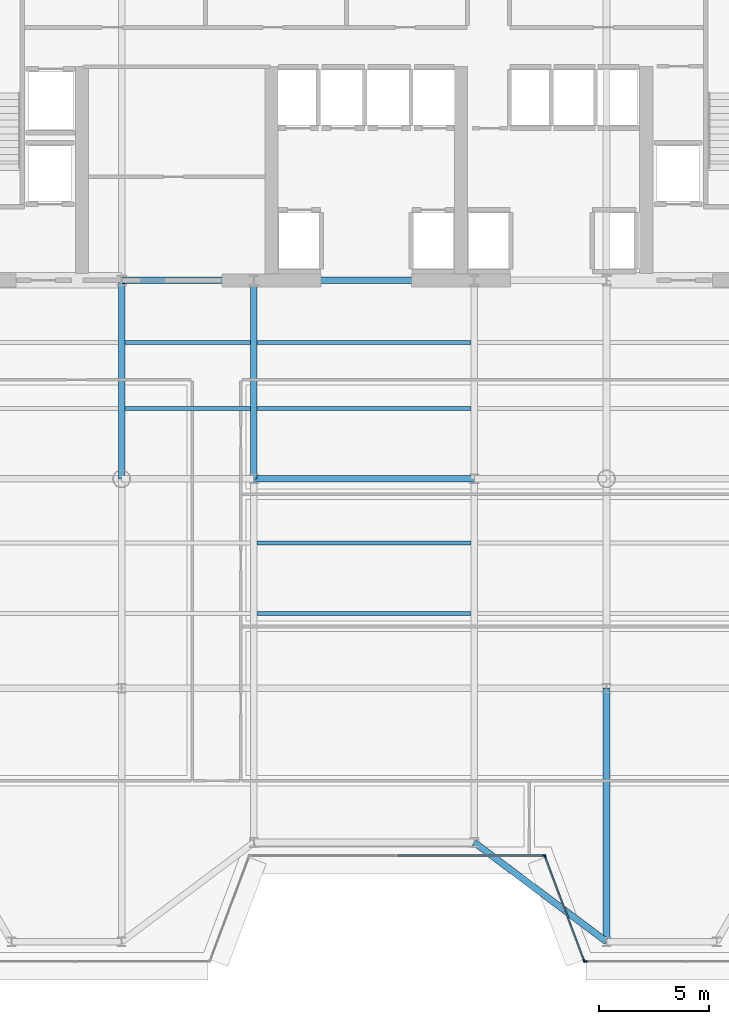
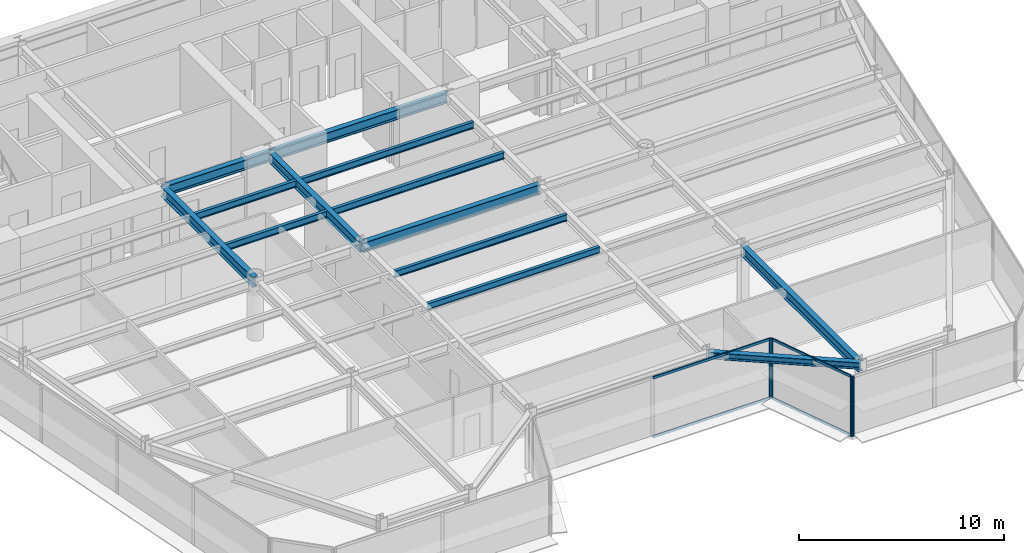
# One storey, part 5 of 16: 13 beams, 8 members, 3 elements without a shape of their own.
"""IFC4 building model written with IfcOpenShell, lengths in metres."""

from ifc_helpers import new_model, si_unit, direction, frame, origin, origin_2d, place, context, subcontext, project, spatial, rectangle, i_section, extrude, source, transform, mapped, material, layer, layer_set, material_profile, profile_set, type_object, element, aggregate, save


model = new_model("IFC4")

# Units and contexts
model_context = context("Model", 3, precision=1e-05, world=origin(), true_north=direction((0.0, 1.0)))
body_context = subcontext(model_context, "Body", "Model", "MODEL_VIEW")
ifc_project = project(units=[si_unit("LENGTHUNIT", "METRE"), si_unit("AREAUNIT", "SQUARE_METRE"), si_unit("VOLUMEUNIT", "CUBIC_METRE"), si_unit("PLANEANGLEUNIT", "RADIAN"), si_unit("MASSUNIT", "GRAM", prefix="KILO")], contexts=[model_context])

# Site, building, storey
site_placement = place(None, origin())
site = spatial("IfcSite", under=ifc_project, at=site_placement, CompositionType="ELEMENT")
building_placement = place(site_placement, origin())
building = spatial("IfcBuilding", under=site, at=building_placement, Name="Vaeldorn Concourse Tower", CompositionType="ELEMENT")
storey_placement = place(building_placement, frame((0.0, 0.0, 195.60009765625)))
storey = spatial("IfcBuildingStorey", under=building, at=storey_placement, Name="L50", CompositionType="ELEMENT", Elevation=195.60009765625)

# Beams
ifc_material_1 = material(Name="Steel S355", Category="steel")
ifc_material_profile_1 = material_profile(ifc_material_1, i_section(OverallWidth=0.300048828125, OverallDepth=0.60009765625, WebThickness=0.015380859375, FlangeThickness=0.030029296875, FilletRadius=0.027099609375, at=origin_2d()), Name="HEB 600")
ifc_profile_set_1 = profile_set([ifc_material_profile_1], Name="Steel S355")
beam_type_1 = type_object("IfcBeamType", Name="BM-PG-HEB600", PredefinedType="BEAM", material=ifc_profile_set_1)
shared_shape_1 = source(origin(), body_context, "Body", "SweptSolid", [
    extrude(i_section(OverallWidth=0.300048828125, OverallDepth=0.60009765625, WebThickness=0.015380859375, FlangeThickness=0.030029296875, FilletRadius=0.027099609375, at=origin_2d()), origin(), (0.0, 0.0, 1.0), 6.0),
])
beam_1_placement = place(storey_placement, frame((23.0, 36.5, 3.27978515625), z_axis=(1.0, 0.0, 0.0), x_axis=(0.0, 1.0, 0.0)))
element("IfcBeam", 1, at=beam_1_placement, inside=storey, type_object=beam_type_1, Name="Beam BM-L50-C-FC2-C-FC3", PredefinedType="BEAM", context=body_context, shape_type="MappedRepresentation", body=[
    mapped(shared_shape_1, transform((0.0, 0.0, 0.0), scale=1.0)),
])
shared_shape_2 = source(origin(), body_context, "Body", "SweptSolid", [
    extrude(i_section(OverallWidth=0.300048828125, OverallDepth=0.60009765625, WebThickness=0.015380859375, FlangeThickness=0.030029296875, FilletRadius=0.027099609375, at=origin_2d()), origin(), (0.0, 0.0, 1.0), 10.0),
])
for number, where, z_axis, x_axis, name in (
    (2, (29.0, 36.5, 3.27978515625), (1.0, 0.0, 0.0), (0.0, 1.0, 0.0), "Beam BM-L50-C-FC3-C-FC4"),
    (3, (29.0, 27.5, 3.27978515625), (1.0, 0.0, 0.0), (0.0, 1.0, 0.0), "Beam BM-L50-C-TW2-C-TW3"),
):
    element("IfcBeam", number, at=place(storey_placement, frame(where, z_axis=z_axis, x_axis=x_axis)), inside=storey, type_object=beam_type_1, Name=name, PredefinedType="BEAM", context=body_context, shape_type="MappedRepresentation", body=[
        mapped(shared_shape_2, transform((0.0, 0.0, 0.0), scale=1.0)),
    ])
shared_shape_3 = source(origin(), body_context, "Body", "SweptSolid", [
    extrude(i_section(OverallWidth=0.300048828125, OverallDepth=0.60009765625, WebThickness=0.015380859375, FlangeThickness=0.030029296875, FilletRadius=0.027099609375, at=origin_2d()), origin(), (0.0, 0.0, 1.0), 9.0),
])
for number, where, z_axis, x_axis, name in (
    (4, (23.0, 27.5, 3.27978515625), (0.0, 1.0, 0.0), (-1.0, 0.0, 0.0), "Beam BM-L50-C-TW1-C-FC2"),
    (5, (29.0, 27.5, 3.27978515625), (0.0, 1.0, 0.0), (-1.0, 0.0, 0.0), "Beam BM-L50-C-TW2-C-FC3"),
):
    element("IfcBeam", number, at=place(storey_placement, frame(where, z_axis=z_axis, x_axis=x_axis)), inside=storey, type_object=beam_type_1, Name=name, PredefinedType="BEAM", context=body_context, shape_type="MappedRepresentation", body=[
        mapped(shared_shape_3, transform((0.0, 0.0, 0.0), scale=1.0)),
    ])
shared_shape_4 = source(origin(), body_context, "Body", "SweptSolid", [
    extrude(i_section(OverallWidth=0.300048828125, OverallDepth=0.60009765625, WebThickness=0.015380859375, FlangeThickness=0.030029296875, FilletRadius=0.027099609375, at=origin_2d()), origin(), (0.0, 0.0, 1.0), 11.5),
])
beam_2_placement = place(storey_placement, frame((45.0, 6.5, 3.27978515625), z_axis=(0.0, 1.0, 0.0), x_axis=(-1.0, 0.0, 0.0)))
element("IfcBeam", 6, at=beam_2_placement, inside=storey, type_object=beam_type_1, Name="Beam BM-L50-C-SF5-C-TW6", PredefinedType="BEAM", context=body_context, shape_type="MappedRepresentation", body=[
    mapped(shared_shape_4, transform((0.0, 0.0, 0.0), scale=1.0)),
])
ifc_material_profile_2 = material_profile(ifc_material_1, i_section(OverallWidth=0.300048828125, OverallDepth=0.39990234375, WebThickness=0.013427734375, FlangeThickness=0.02392578125, FilletRadius=0.027099609375, at=origin_2d()), Name="HEB 400")
ifc_profile_set_2 = profile_set([ifc_material_profile_2], Name="Steel S355")
beam_type_2 = type_object("IfcBeamType", Name="BM-SP-HEB400", PredefinedType="SPANDREL", material=ifc_profile_set_2)
shared_shape_5 = source(origin(), body_context, "Body", "SweptSolid", [
    extrude(i_section(OverallWidth=0.300048828125, OverallDepth=0.39990234375, WebThickness=0.013427734375, FlangeThickness=0.02392578125, FilletRadius=0.027099609375, at=origin_2d()), origin(), (0.0, 0.0, 1.0), 7.5),
])
beam_3_placement = place(storey_placement, frame((39.0, 11.0, 3.3798828125), z_axis=(0.8, -0.6, 0.0), x_axis=(0.6, 0.8, 0.0)))
element("IfcBeam", 7, at=beam_3_placement, inside=storey, type_object=beam_type_2, Name="Beam BM-L50-C-SF4-C-SF5", PredefinedType="SPANDREL", context=body_context, shape_type="MappedRepresentation", body=[
    mapped(shared_shape_5, transform((0.0, 0.0, 0.0), scale=1.0)),
])
ifc_material_profile_3 = material_profile(ifc_material_1, i_section(OverallWidth=0.179931640625, OverallDepth=0.39990234375, WebThickness=0.008544921875, FlangeThickness=0.013427734375, FilletRadius=0.02099609375, at=origin_2d()), Name="IPE 400")
ifc_profile_set_3 = profile_set([ifc_material_profile_3], Name="Steel S355")
beam_type_3 = type_object("IfcBeamType", Name="BM-JS-IPE400", PredefinedType="JOIST", material=ifc_profile_set_3)
shared_shape_6 = source(origin(), body_context, "Body", "SweptSolid", [
    extrude(i_section(OverallWidth=0.179931640625, OverallDepth=0.39990234375, WebThickness=0.008544921875, FlangeThickness=0.013427734375, FilletRadius=0.02099609375, at=origin_2d()), origin(), (0.0, 0.0, 1.0), 5.7001953125),
])
for number, where, z_axis, x_axis, name in (
    (8, (23.14990234375, 30.679931640625, 3.3798828125), (1.0, 0.0, 0.0), (0.0, 1.0, 0.0), "Beam JS-L50-W2-306"),
    (9, (23.14990234375, 33.679931640625, 3.3798828125), (1.0, 0.0, 0.0), (0.0, 1.0, 0.0), "Beam JS-L50-W2-336"),
):
    element("IfcBeam", number, at=place(storey_placement, frame(where, z_axis=z_axis, x_axis=x_axis)), inside=storey, type_object=beam_type_3, Name=name, PredefinedType="JOIST", context=body_context, shape_type="MappedRepresentation", body=[
        mapped(shared_shape_6, transform((0.0, 0.0, 0.0), scale=1.0)),
    ])
shared_shape_7 = source(origin(), body_context, "Body", "SweptSolid", [
    extrude(i_section(OverallWidth=0.179931640625, OverallDepth=0.39990234375, WebThickness=0.008544921875, FlangeThickness=0.013427734375, FilletRadius=0.02099609375, at=origin_2d()), origin(), (0.0, 0.0, 1.0), 9.7001953125),
])
for number, where, z_axis, x_axis, name in (
    (10, (29.14990234375, 21.3798828125, 3.3798828125), (1.0, 0.0, 0.0), (0.0, 1.0, 0.0), "Beam JS-L50-C-213"),
    (11, (29.14990234375, 24.580078125, 3.3798828125), (1.0, 0.0, 0.0), (0.0, 1.0, 0.0), "Beam JS-L50-C-245"),
    (12, (29.14990234375, 30.679931640625, 3.3798828125), (1.0, 0.0, 0.0), (0.0, 1.0, 0.0), "Beam JS-L50-C-306"),
    (13, (29.14990234375, 33.679931640625, 3.3798828125), (1.0, 0.0, 0.0), (0.0, 1.0, 0.0), "Beam JS-L50-C-336"),
):
    element("IfcBeam", number, at=place(storey_placement, frame(where, z_axis=z_axis, x_axis=x_axis)), inside=storey, type_object=beam_type_3, Name=name, PredefinedType="JOIST", context=body_context, shape_type="MappedRepresentation", body=[
        mapped(shared_shape_7, transform((0.0, 0.0, 0.0), scale=1.0)),
    ])

# Curtain wall, member
ifc_material_2 = material(Name="Anodised Bronze Aluminium", Category="aluminium")
ifc_layer = layer(ifc_material_2, 0.18994140625)
ifc_layer_set = layer_set([ifc_layer], Name="Anodised Bronze Aluminium")
curtain_wall_type = type_object("IfcCurtainWallType", Name="CW-SYS-03", PredefinedType="NOTDEFINED", material=ifc_layer_set)
curtain_wall_1_placement = place(storey_placement, origin())
curtain_wall_1 = element("IfcCurtainWall", 14, at=curtain_wall_1_placement, inside=storey, type_object=curtain_wall_type, Name="Unitised Curtain Wall CW-L50-E03-1", PredefinedType="NOTDEFINED")
ifc_material_profile_4 = material_profile(ifc_material_2, rectangle(XDim=0.06494140625, YDim=0.169921875, at=origin_2d()), Name="CWM 65x170")
ifc_profile_set_4 = profile_set([ifc_material_profile_4], Name="Anodised Bronze Aluminium")
member_type_1 = type_object("IfcMemberType", Name="CWM-BRONZE-170", PredefinedType="MULLION", material=ifc_profile_set_4)
shared_shape_8 = source(origin(), body_context, "Body", "SweptSolid", [
    extrude(rectangle(XDim=0.06494140625, YDim=0.169921875, at=origin_2d()), origin(), (0.0, 0.0, 1.0), 3.579833984375),
])
member_1_placement = place(storey_placement, frame((42.16748046875, 10.39990234375, 0.0), z_axis=(0.0, 0.0, 1.0), x_axis=(0.0, 1.0, 0.0)))
member_1 = element("IfcMember", 15, at=member_1_placement, type_object=member_type_1, Name="CW-03 mullion 3", PredefinedType="MULLION", context=body_context, shape_type="MappedRepresentation", body=[
    mapped(shared_shape_8, transform((0.0, 0.0, 0.0), scale=1.0)),
])

# Curtain wall, members
curtain_wall_2_placement = place(storey_placement, origin())
curtain_wall_2 = element("IfcCurtainWall", 16, at=curtain_wall_2_placement, inside=storey, type_object=curtain_wall_type, Name="Unitised Curtain Wall CW-L50-E04-1", PredefinedType="NOTDEFINED")
member_2_placement = place(storey_placement, frame((42.21142578125, 10.36962890625, 0.0), z_axis=(0.0, 0.0, 1.0), x_axis=(0.936329177566, 0.351123441595, 0.0)))
member_2 = element("IfcMember", 17, at=member_2_placement, type_object=member_type_1, Name="CW-03 mullion 1", PredefinedType="MULLION", context=body_context, shape_type="MappedRepresentation", body=[
    mapped(shared_shape_8, transform((0.0, 0.0, 0.0), scale=1.0)),
])
member_3_placement = place(storey_placement, frame((43.988525390625, 5.63037109375, 0.0), z_axis=(0.0, 0.0, 1.0), x_axis=(0.936329177566, 0.351123441595, 0.0)))
member_3 = element("IfcMember", 18, at=member_3_placement, type_object=member_type_1, Name="CW-03 mullion 2", PredefinedType="MULLION", context=body_context, shape_type="MappedRepresentation", body=[
    mapped(shared_shape_8, transform((0.0, 0.0, 0.0), scale=1.0)),
])

# Curtain wall, member
curtain_wall_3_placement = place(storey_placement, origin())
curtain_wall_3 = element("IfcCurtainWall", 19, at=curtain_wall_3_placement, inside=storey, type_object=curtain_wall_type, Name="Unitised Curtain Wall CW-L50-E05-1", PredefinedType="NOTDEFINED")
member_4_placement = place(storey_placement, frame((44.032470703125, 5.60009765625, 0.0), z_axis=(0.0, 0.0, 1.0), x_axis=(0.0, 1.0, 0.0)))
member_4 = element("IfcMember", 20, at=member_4_placement, type_object=member_type_1, Name="CW-03 mullion 1", PredefinedType="MULLION", context=body_context, shape_type="MappedRepresentation", body=[
    mapped(shared_shape_8, transform((0.0, 0.0, 0.0), scale=1.0)),
])
aggregate(curtain_wall_3, [member_4])

# Member
ifc_material_profile_5 = material_profile(ifc_material_2, rectangle(XDim=0.06494140625, YDim=0.14990234375, at=origin_2d()), Name="CWT 65x150")
ifc_profile_set_5 = profile_set([ifc_material_profile_5], Name="Anodised Bronze Aluminium")
member_type_2 = type_object("IfcMemberType", Name="CWT-BRONZE-150", PredefinedType="USERDEFINED", material=ifc_profile_set_5)
shared_shape_9 = source(origin(), body_context, "Body", "SweptSolid", [
    extrude(rectangle(XDim=0.06494140625, YDim=0.14990234375, at=origin_2d()), origin(), (0.0, 0.0, 1.0), 4.996337890625),
])
member_5_placement = place(storey_placement, frame((42.222900390625, 10.339111328125, 0.032470703125), z_axis=(0.351134151405, -0.936325161318, 0.0), x_axis=(0.936325161318, 0.351134151405, 0.0)))
member_5 = element("IfcMember", 21, at=member_5_placement, type_object=member_type_2, Name="CW-03 transom 1.1", ObjectType="TRANSOM", PredefinedType="USERDEFINED", context=body_context, shape_type="MappedRepresentation", body=[
    mapped(shared_shape_9, transform((0.0, 0.0, 0.0), scale=1.0)),
])

member_6_placement = place(storey_placement, frame((42.222900390625, 10.339111328125, 3.54736328125), z_axis=(0.351134151405, -0.936325161318, 0.0), x_axis=(0.936325161318, 0.351134151405, 0.0)))
member_6 = element("IfcMember", 22, at=member_6_placement, type_object=member_type_2, Name="CW-03 transom 1.2", ObjectType="TRANSOM", PredefinedType="USERDEFINED", context=body_context, shape_type="MappedRepresentation", body=[
    mapped(shared_shape_9, transform((0.0, 0.0, 0.0), scale=1.0)),
])

aggregate(curtain_wall_2, [member_2, member_3, member_5, member_6])

shared_shape_10 = source(origin(), body_context, "Body", "SweptSolid", [
    extrude(rectangle(XDim=0.06494140625, YDim=0.14990234375, at=origin_2d()), origin(), (0.0, 0.0, 1.0), 6.6025390625),
])
member_7_placement = place(storey_placement, frame((35.532470703125, 10.39990234375, 0.032470703125), z_axis=(1.0, 0.0, 0.0), x_axis=(0.0, 1.0, 0.0)))
member_7 = element("IfcMember", 23, at=member_7_placement, type_object=member_type_2, Name="CW-03 transom 2.1", ObjectType="TRANSOM", PredefinedType="USERDEFINED", context=body_context, shape_type="MappedRepresentation", body=[
    mapped(shared_shape_10, transform((0.0, 0.0, 0.0), scale=1.0)),
])

member_8_placement = place(storey_placement, frame((35.532470703125, 10.39990234375, 3.54736328125), z_axis=(1.0, 0.0, 0.0), x_axis=(0.0, 1.0, 0.0)))
member_8 = element("IfcMember", 24, at=member_8_placement, type_object=member_type_2, Name="CW-03 transom 2.2", ObjectType="TRANSOM", PredefinedType="USERDEFINED", context=body_context, shape_type="MappedRepresentation", body=[
    mapped(shared_shape_10, transform((0.0, 0.0, 0.0), scale=1.0)),
])

aggregate(curtain_wall_1, [member_1, member_7, member_8])

save(model, "model.ifc")
